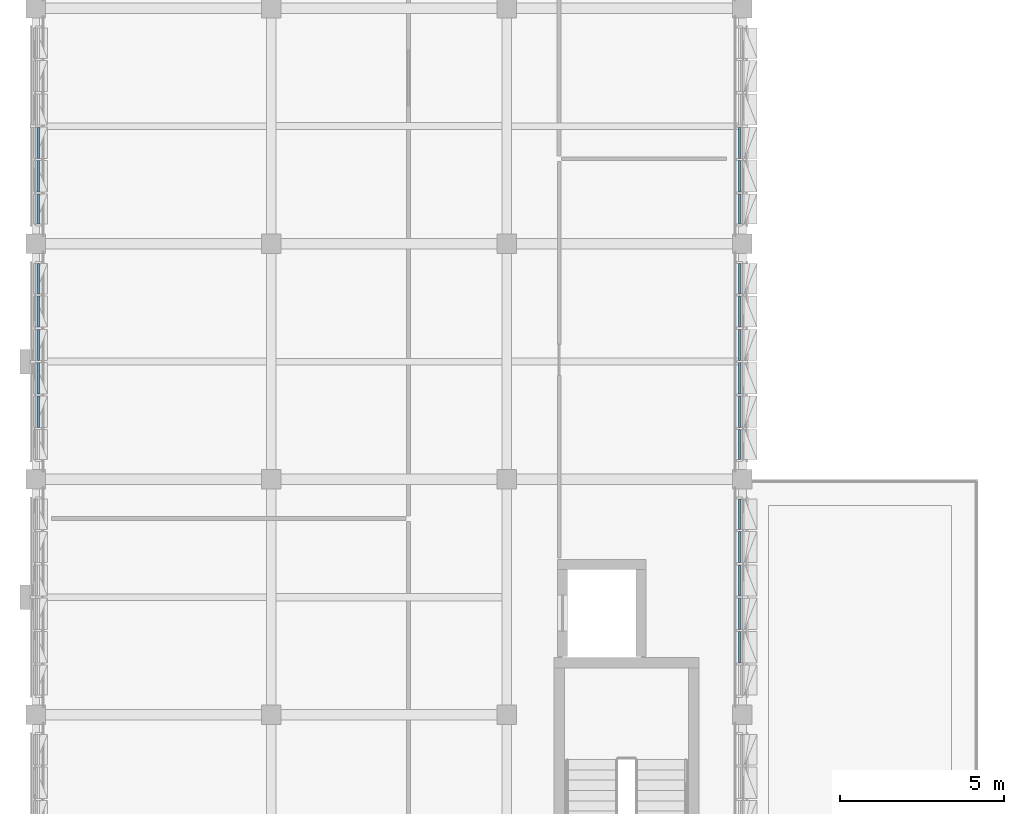
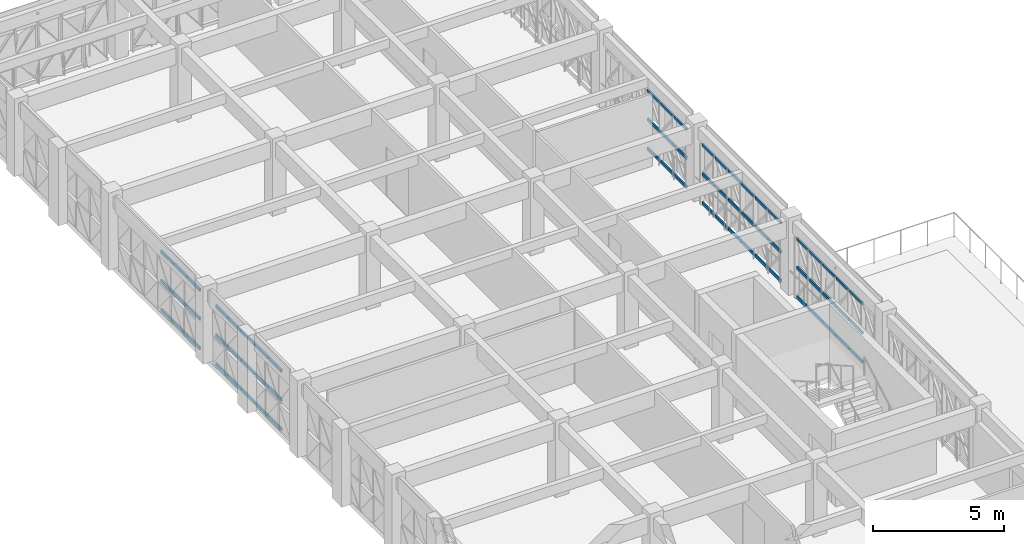
# One storey, part 29 of 99: 66 members, 5 elements without a shape of their own.
"""IFC4 building model written with IfcOpenShell, lengths in metres."""

from ifc_helpers import new_model, si_unit, direction, frame, origin, origin_2d, place, context, subcontext, project, spatial, rectangle, extrude, material, material_profile, profile_set, type_object, element, aggregate, save


model = new_model("IFC4")

# Units and contexts
model_context = context("Model", 3, precision=1e-05, world=origin(), true_north=direction((0.0, 1.0)))
body_context = subcontext(model_context, "Body", "Model", "MODEL_VIEW")
ifc_project = project(units=[si_unit("LENGTHUNIT", "METRE"), si_unit("AREAUNIT", "SQUARE_METRE"), si_unit("VOLUMEUNIT", "CUBIC_METRE"), si_unit("PLANEANGLEUNIT", "RADIAN"), si_unit("MASSUNIT", "GRAM", prefix="KILO")], contexts=[model_context])

# Site, building, storey
site_placement = place(None, origin())
site = spatial("IfcSite", under=ifc_project, at=site_placement, CompositionType="ELEMENT")
building_placement = place(site_placement, origin())
building = spatial("IfcBuilding", under=site, at=building_placement, Name="Alvorim Cloister Faculty of Sciences", CompositionType="ELEMENT")
storey_placement = place(building_placement, frame((0.0, 0.0, 12.14990234375)))
storey = spatial("IfcBuildingStorey", under=building, at=storey_placement, Name="L03", CompositionType="ELEMENT", Elevation=12.14990234375)

# Curtain wall, members
ifc_material_1 = material(Name="Aluminium and Low-E Glass Curtain Wall", Category="aluminium")
curtain_wall_type = type_object("IfcCurtainWallType", Name="CW-TRI-6120x2850", PredefinedType="USERDEFINED", material=ifc_material_1)
curtain_wall_1_placement = place(storey_placement, origin())
curtain_wall_1 = element("IfcCurtainWall", 1, at=curtain_wall_1_placement, inside=storey, type_object=curtain_wall_type, Name="L03 Diagonal Cassette Curtain Wall CW-0110", ObjectType="UNITISED CURTAIN WALL", PredefinedType="USERDEFINED")
ifc_material_2 = material(Name="Aluminium Alloy 6063-T6", Category="aluminium")
ifc_material_profile = material_profile(ifc_material_2, rectangle(XDim=0.06494140625, YDim=0.139892578125, at=origin_2d()), Name="ALU-TRN-65x140")
ifc_profile_set = profile_set([ifc_material_profile], Name="Aluminium Alloy 6063-T6")
member_type = type_object("IfcMemberType", Name="CW-TRN-65x140", PredefinedType="USERDEFINED", material=ifc_profile_set)
member_1_placement = place(storey_placement, frame((0.090087890625, 86.79248046875, 0.070068359375), z_axis=(0.0, 1.0, 0.0), x_axis=(-1.0, 0.0, 0.0)))
member_1 = element("IfcMember", 2, at=member_1_placement, type_object=member_type, Name="CW-0110 Transom 2.1", ObjectType="TRANSOM", PredefinedType="USERDEFINED", context=body_context, shape_type="SweptSolid", body=[
    extrude(rectangle(XDim=0.06494140625, YDim=0.139892578125, at=origin_2d()), origin(), (0.0, 0.0, 1.0), 0.955078125),
])
member_2_placement = place(storey_placement, frame((0.090087890625, 86.79248046875, 1.425048828125), z_axis=(0.0, 1.0, 0.0), x_axis=(-1.0, 0.0, 0.0)))
member_2 = element("IfcMember", 3, at=member_2_placement, type_object=member_type, Name="CW-0110 Transom 2.2", ObjectType="TRANSOM", PredefinedType="USERDEFINED", context=body_context, shape_type="SweptSolid", body=[
    extrude(rectangle(XDim=0.06494140625, YDim=0.139892578125, at=origin_2d()), origin(), (0.0, 0.0, 1.0), 0.955078125),
])
member_3_placement = place(storey_placement, frame((0.090087890625, 86.79248046875, 2.780029296875), z_axis=(0.0, 1.0, 0.0), x_axis=(-1.0, 0.0, 0.0)))
member_3 = element("IfcMember", 4, at=member_3_placement, type_object=member_type, Name="CW-0110 Transom 2.3", ObjectType="TRANSOM", PredefinedType="USERDEFINED", context=body_context, shape_type="SweptSolid", body=[
    extrude(rectangle(XDim=0.06494140625, YDim=0.139892578125, at=origin_2d()), origin(), (0.0, 0.0, 1.0), 0.955078125),
])
member_4_placement = place(storey_placement, frame((0.090087890625, 87.8125, 0.070068359375), z_axis=(0.0, 1.0, 0.0), x_axis=(-1.0, 0.0, 0.0)))
member_4 = element("IfcMember", 5, at=member_4_placement, type_object=member_type, Name="CW-0110 Transom 3.1", ObjectType="TRANSOM", PredefinedType="USERDEFINED", context=body_context, shape_type="SweptSolid", body=[
    extrude(rectangle(XDim=0.06494140625, YDim=0.139892578125, at=origin_2d()), origin(), (0.0, 0.0, 1.0), 0.955078125),
])
member_5_placement = place(storey_placement, frame((0.090087890625, 87.8125, 1.425048828125), z_axis=(0.0, 1.0, 0.0), x_axis=(-1.0, 0.0, 0.0)))
member_5 = element("IfcMember", 6, at=member_5_placement, type_object=member_type, Name="CW-0110 Transom 3.2", ObjectType="TRANSOM", PredefinedType="USERDEFINED", context=body_context, shape_type="SweptSolid", body=[
    extrude(rectangle(XDim=0.06494140625, YDim=0.139892578125, at=origin_2d()), origin(), (0.0, 0.0, 1.0), 0.955078125),
])
member_6_placement = place(storey_placement, frame((0.090087890625, 87.8125, 2.780029296875), z_axis=(0.0, 1.0, 0.0), x_axis=(-1.0, 0.0, 0.0)))
member_6 = element("IfcMember", 7, at=member_6_placement, type_object=member_type, Name="CW-0110 Transom 3.3", ObjectType="TRANSOM", PredefinedType="USERDEFINED", context=body_context, shape_type="SweptSolid", body=[
    extrude(rectangle(XDim=0.06494140625, YDim=0.139892578125, at=origin_2d()), origin(), (0.0, 0.0, 1.0), 0.955078125),
])
member_7_placement = place(storey_placement, frame((0.090087890625, 88.83251953125, 0.070068359375), z_axis=(0.0, 1.0, 0.0), x_axis=(-1.0, 0.0, 0.0)))
member_7 = element("IfcMember", 8, at=member_7_placement, type_object=member_type, Name="CW-0110 Transom 4.1", ObjectType="TRANSOM", PredefinedType="USERDEFINED", context=body_context, shape_type="SweptSolid", body=[
    extrude(rectangle(XDim=0.06494140625, YDim=0.139892578125, at=origin_2d()), origin(), (0.0, 0.0, 1.0), 0.955078125),
])
member_8_placement = place(storey_placement, frame((0.090087890625, 88.83251953125, 1.425048828125), z_axis=(0.0, 1.0, 0.0), x_axis=(-1.0, 0.0, 0.0)))
member_8 = element("IfcMember", 9, at=member_8_placement, type_object=member_type, Name="CW-0110 Transom 4.2", ObjectType="TRANSOM", PredefinedType="USERDEFINED", context=body_context, shape_type="SweptSolid", body=[
    extrude(rectangle(XDim=0.06494140625, YDim=0.139892578125, at=origin_2d()), origin(), (0.0, 0.0, 1.0), 0.955078125),
])
member_9_placement = place(storey_placement, frame((0.090087890625, 88.83251953125, 2.780029296875), z_axis=(0.0, 1.0, 0.0), x_axis=(-1.0, 0.0, 0.0)))
member_9 = element("IfcMember", 10, at=member_9_placement, type_object=member_type, Name="CW-0110 Transom 4.3", ObjectType="TRANSOM", PredefinedType="USERDEFINED", context=body_context, shape_type="SweptSolid", body=[
    extrude(rectangle(XDim=0.06494140625, YDim=0.139892578125, at=origin_2d()), origin(), (0.0, 0.0, 1.0), 0.955078125),
])
member_10_placement = place(storey_placement, frame((0.090087890625, 89.8525390625, 0.070068359375), z_axis=(0.0, 1.0, 0.0), x_axis=(-1.0, 0.0, 0.0)))
member_10 = element("IfcMember", 11, at=member_10_placement, type_object=member_type, Name="CW-0110 Transom 5.1", ObjectType="TRANSOM", PredefinedType="USERDEFINED", context=body_context, shape_type="SweptSolid", body=[
    extrude(rectangle(XDim=0.06494140625, YDim=0.139892578125, at=origin_2d()), origin(), (0.0, 0.0, 1.0), 0.955078125),
])
member_11_placement = place(storey_placement, frame((0.090087890625, 89.8525390625, 1.425048828125), z_axis=(0.0, 1.0, 0.0), x_axis=(-1.0, 0.0, 0.0)))
member_11 = element("IfcMember", 12, at=member_11_placement, type_object=member_type, Name="CW-0110 Transom 5.2", ObjectType="TRANSOM", PredefinedType="USERDEFINED", context=body_context, shape_type="SweptSolid", body=[
    extrude(rectangle(XDim=0.06494140625, YDim=0.139892578125, at=origin_2d()), origin(), (0.0, 0.0, 1.0), 0.955078125),
])
member_12_placement = place(storey_placement, frame((0.090087890625, 89.8525390625, 2.780029296875), z_axis=(0.0, 1.0, 0.0), x_axis=(-1.0, 0.0, 0.0)))
member_12 = element("IfcMember", 13, at=member_12_placement, type_object=member_type, Name="CW-0110 Transom 5.3", ObjectType="TRANSOM", PredefinedType="USERDEFINED", context=body_context, shape_type="SweptSolid", body=[
    extrude(rectangle(XDim=0.06494140625, YDim=0.139892578125, at=origin_2d()), origin(), (0.0, 0.0, 1.0), 0.955078125),
])
member_13_placement = place(storey_placement, frame((0.090087890625, 90.87255859375, 0.070068359375), z_axis=(0.0, 1.0, 0.0), x_axis=(-1.0, 0.0, 0.0)))
member_13 = element("IfcMember", 14, at=member_13_placement, type_object=member_type, Name="CW-0110 Transom 6.1", ObjectType="TRANSOM", PredefinedType="USERDEFINED", context=body_context, shape_type="SweptSolid", body=[
    extrude(rectangle(XDim=0.06494140625, YDim=0.139892578125, at=origin_2d()), origin(), (0.0, 0.0, 1.0), 0.92236328125),
])
member_14_placement = place(storey_placement, frame((0.090087890625, 90.87255859375, 1.425048828125), z_axis=(0.0, 1.0, 0.0), x_axis=(-1.0, 0.0, 0.0)))
member_14 = element("IfcMember", 15, at=member_14_placement, type_object=member_type, Name="CW-0110 Transom 6.2", ObjectType="TRANSOM", PredefinedType="USERDEFINED", context=body_context, shape_type="SweptSolid", body=[
    extrude(rectangle(XDim=0.06494140625, YDim=0.139892578125, at=origin_2d()), origin(), (0.0, 0.0, 1.0), 0.92236328125),
])
member_15_placement = place(storey_placement, frame((0.090087890625, 90.87255859375, 2.780029296875), z_axis=(0.0, 1.0, 0.0), x_axis=(-1.0, 0.0, 0.0)))
member_15 = element("IfcMember", 16, at=member_15_placement, type_object=member_type, Name="CW-0110 Transom 6.3", ObjectType="TRANSOM", PredefinedType="USERDEFINED", context=body_context, shape_type="SweptSolid", body=[
    extrude(rectangle(XDim=0.06494140625, YDim=0.139892578125, at=origin_2d()), origin(), (0.0, 0.0, 1.0), 0.92236328125),
])
aggregate(curtain_wall_1, [member_1, member_2, member_3, member_4, member_5, member_6, member_7, member_8, member_9, member_10, member_11, member_12, member_13, member_14, member_15])

curtain_wall_2_placement = place(storey_placement, origin())
curtain_wall_2 = element("IfcCurtainWall", 17, at=curtain_wall_2_placement, inside=storey, type_object=curtain_wall_type, Name="L03 Diagonal Cassette Curtain Wall CW-0111", ObjectType="UNITISED CURTAIN WALL", PredefinedType="USERDEFINED")
member_16_placement = place(storey_placement, frame((0.090087890625, 93.0048828125, 0.070068359375), z_axis=(0.0, 1.0, 0.0), x_axis=(-1.0, 0.0, 0.0)))
member_16 = element("IfcMember", 18, at=member_16_placement, type_object=member_type, Name="CW-0111 Transom 1.1", ObjectType="TRANSOM", PredefinedType="USERDEFINED", context=body_context, shape_type="SweptSolid", body=[
    extrude(rectangle(XDim=0.06494140625, YDim=0.139892578125, at=origin_2d()), origin(), (0.0, 0.0, 1.0), 0.922607421875),
])
member_17_placement = place(storey_placement, frame((0.090087890625, 93.0048828125, 1.425048828125), z_axis=(0.0, 1.0, 0.0), x_axis=(-1.0, 0.0, 0.0)))
member_17 = element("IfcMember", 19, at=member_17_placement, type_object=member_type, Name="CW-0111 Transom 1.2", ObjectType="TRANSOM", PredefinedType="USERDEFINED", context=body_context, shape_type="SweptSolid", body=[
    extrude(rectangle(XDim=0.06494140625, YDim=0.139892578125, at=origin_2d()), origin(), (0.0, 0.0, 1.0), 0.922607421875),
])
member_18_placement = place(storey_placement, frame((0.090087890625, 93.0048828125, 2.780029296875), z_axis=(0.0, 1.0, 0.0), x_axis=(-1.0, 0.0, 0.0)))
member_18 = element("IfcMember", 20, at=member_18_placement, type_object=member_type, Name="CW-0111 Transom 1.3", ObjectType="TRANSOM", PredefinedType="USERDEFINED", context=body_context, shape_type="SweptSolid", body=[
    extrude(rectangle(XDim=0.06494140625, YDim=0.139892578125, at=origin_2d()), origin(), (0.0, 0.0, 1.0), 0.922607421875),
])
member_19_placement = place(storey_placement, frame((0.090087890625, 93.992431640625, 0.070068359375), z_axis=(0.0, 1.0, 0.0), x_axis=(-1.0, 0.0, 0.0)))
member_19 = element("IfcMember", 21, at=member_19_placement, type_object=member_type, Name="CW-0111 Transom 2.1", ObjectType="TRANSOM", PredefinedType="USERDEFINED", context=body_context, shape_type="SweptSolid", body=[
    extrude(rectangle(XDim=0.06494140625, YDim=0.139892578125, at=origin_2d()), origin(), (0.0, 0.0, 1.0), 0.955078125),
])
member_20_placement = place(storey_placement, frame((0.090087890625, 93.992431640625, 1.425048828125), z_axis=(0.0, 1.0, 0.0), x_axis=(-1.0, 0.0, 0.0)))
member_20 = element("IfcMember", 22, at=member_20_placement, type_object=member_type, Name="CW-0111 Transom 2.2", ObjectType="TRANSOM", PredefinedType="USERDEFINED", context=body_context, shape_type="SweptSolid", body=[
    extrude(rectangle(XDim=0.06494140625, YDim=0.139892578125, at=origin_2d()), origin(), (0.0, 0.0, 1.0), 0.955078125),
])
member_21_placement = place(storey_placement, frame((0.090087890625, 93.992431640625, 2.780029296875), z_axis=(0.0, 1.0, 0.0), x_axis=(-1.0, 0.0, 0.0)))
member_21 = element("IfcMember", 23, at=member_21_placement, type_object=member_type, Name="CW-0111 Transom 2.3", ObjectType="TRANSOM", PredefinedType="USERDEFINED", context=body_context, shape_type="SweptSolid", body=[
    extrude(rectangle(XDim=0.06494140625, YDim=0.139892578125, at=origin_2d()), origin(), (0.0, 0.0, 1.0), 0.955078125),
])
member_22_placement = place(storey_placement, frame((0.090087890625, 95.012451171875, 0.070068359375), z_axis=(0.0, 1.0, 0.0), x_axis=(-1.0, 0.0, 0.0)))
member_22 = element("IfcMember", 24, at=member_22_placement, type_object=member_type, Name="CW-0111 Transom 3.1", ObjectType="TRANSOM", PredefinedType="USERDEFINED", context=body_context, shape_type="SweptSolid", body=[
    extrude(rectangle(XDim=0.06494140625, YDim=0.139892578125, at=origin_2d()), origin(), (0.0, 0.0, 1.0), 0.955078125),
])
member_23_placement = place(storey_placement, frame((0.090087890625, 95.012451171875, 1.425048828125), z_axis=(0.0, 1.0, 0.0), x_axis=(-1.0, 0.0, 0.0)))
member_23 = element("IfcMember", 25, at=member_23_placement, type_object=member_type, Name="CW-0111 Transom 3.2", ObjectType="TRANSOM", PredefinedType="USERDEFINED", context=body_context, shape_type="SweptSolid", body=[
    extrude(rectangle(XDim=0.06494140625, YDim=0.139892578125, at=origin_2d()), origin(), (0.0, 0.0, 1.0), 0.955078125),
])
member_24_placement = place(storey_placement, frame((0.090087890625, 95.012451171875, 2.780029296875), z_axis=(0.0, 1.0, 0.0), x_axis=(-1.0, 0.0, 0.0)))
member_24 = element("IfcMember", 26, at=member_24_placement, type_object=member_type, Name="CW-0111 Transom 3.3", ObjectType="TRANSOM", PredefinedType="USERDEFINED", context=body_context, shape_type="SweptSolid", body=[
    extrude(rectangle(XDim=0.06494140625, YDim=0.139892578125, at=origin_2d()), origin(), (0.0, 0.0, 1.0), 0.955078125),
])
aggregate(curtain_wall_2, [member_16, member_17, member_18, member_19, member_20, member_21, member_22, member_23, member_24])

curtain_wall_3_placement = place(storey_placement, origin())
curtain_wall_3 = element("IfcCurtainWall", 27, at=curtain_wall_3_placement, inside=storey, type_object=curtain_wall_type, Name="L03 Diagonal Cassette Curtain Wall CW-0119", ObjectType="UNITISED CURTAIN WALL", PredefinedType="USERDEFINED")
member_25_placement = place(storey_placement, frame((21.510009765625, 93.0048828125, 0.070068359375), z_axis=(0.0, 1.0, 0.0), x_axis=(-1.0, 0.0, 0.0)))
member_25 = element("IfcMember", 28, at=member_25_placement, type_object=member_type, Name="CW-0119 Transom 1.1", ObjectType="TRANSOM", PredefinedType="USERDEFINED", context=body_context, shape_type="SweptSolid", body=[
    extrude(rectangle(XDim=0.06494140625, YDim=0.139892578125, at=origin_2d()), origin(), (0.0, 0.0, 1.0), 0.922607421875),
])
member_26_placement = place(storey_placement, frame((21.510009765625, 93.0048828125, 1.425048828125), z_axis=(0.0, 1.0, 0.0), x_axis=(-1.0, 0.0, 0.0)))
member_26 = element("IfcMember", 29, at=member_26_placement, type_object=member_type, Name="CW-0119 Transom 1.2", ObjectType="TRANSOM", PredefinedType="USERDEFINED", context=body_context, shape_type="SweptSolid", body=[
    extrude(rectangle(XDim=0.06494140625, YDim=0.139892578125, at=origin_2d()), origin(), (0.0, 0.0, 1.0), 0.922607421875),
])
member_27_placement = place(storey_placement, frame((21.510009765625, 93.0048828125, 2.780029296875), z_axis=(0.0, 1.0, 0.0), x_axis=(-1.0, 0.0, 0.0)))
member_27 = element("IfcMember", 30, at=member_27_placement, type_object=member_type, Name="CW-0119 Transom 1.3", ObjectType="TRANSOM", PredefinedType="USERDEFINED", context=body_context, shape_type="SweptSolid", body=[
    extrude(rectangle(XDim=0.06494140625, YDim=0.139892578125, at=origin_2d()), origin(), (0.0, 0.0, 1.0), 0.922607421875),
])
member_28_placement = place(storey_placement, frame((21.510009765625, 93.992431640625, 0.070068359375), z_axis=(0.0, 1.0, 0.0), x_axis=(-1.0, 0.0, 0.0)))
member_28 = element("IfcMember", 31, at=member_28_placement, type_object=member_type, Name="CW-0119 Transom 2.1", ObjectType="TRANSOM", PredefinedType="USERDEFINED", context=body_context, shape_type="SweptSolid", body=[
    extrude(rectangle(XDim=0.06494140625, YDim=0.139892578125, at=origin_2d()), origin(), (0.0, 0.0, 1.0), 0.955078125),
])
member_29_placement = place(storey_placement, frame((21.510009765625, 93.992431640625, 1.425048828125), z_axis=(0.0, 1.0, 0.0), x_axis=(-1.0, 0.0, 0.0)))
member_29 = element("IfcMember", 32, at=member_29_placement, type_object=member_type, Name="CW-0119 Transom 2.2", ObjectType="TRANSOM", PredefinedType="USERDEFINED", context=body_context, shape_type="SweptSolid", body=[
    extrude(rectangle(XDim=0.06494140625, YDim=0.139892578125, at=origin_2d()), origin(), (0.0, 0.0, 1.0), 0.955078125),
])
member_30_placement = place(storey_placement, frame((21.510009765625, 93.992431640625, 2.780029296875), z_axis=(0.0, 1.0, 0.0), x_axis=(-1.0, 0.0, 0.0)))
member_30 = element("IfcMember", 33, at=member_30_placement, type_object=member_type, Name="CW-0119 Transom 2.3", ObjectType="TRANSOM", PredefinedType="USERDEFINED", context=body_context, shape_type="SweptSolid", body=[
    extrude(rectangle(XDim=0.06494140625, YDim=0.139892578125, at=origin_2d()), origin(), (0.0, 0.0, 1.0), 0.955078125),
])
member_31_placement = place(storey_placement, frame((21.510009765625, 95.012451171875, 0.070068359375), z_axis=(0.0, 1.0, 0.0), x_axis=(-1.0, 0.0, 0.0)))
member_31 = element("IfcMember", 34, at=member_31_placement, type_object=member_type, Name="CW-0119 Transom 3.1", ObjectType="TRANSOM", PredefinedType="USERDEFINED", context=body_context, shape_type="SweptSolid", body=[
    extrude(rectangle(XDim=0.06494140625, YDim=0.139892578125, at=origin_2d()), origin(), (0.0, 0.0, 1.0), 0.955078125),
])
member_32_placement = place(storey_placement, frame((21.510009765625, 95.012451171875, 1.425048828125), z_axis=(0.0, 1.0, 0.0), x_axis=(-1.0, 0.0, 0.0)))
member_32 = element("IfcMember", 35, at=member_32_placement, type_object=member_type, Name="CW-0119 Transom 3.2", ObjectType="TRANSOM", PredefinedType="USERDEFINED", context=body_context, shape_type="SweptSolid", body=[
    extrude(rectangle(XDim=0.06494140625, YDim=0.139892578125, at=origin_2d()), origin(), (0.0, 0.0, 1.0), 0.955078125),
])
member_33_placement = place(storey_placement, frame((21.510009765625, 95.012451171875, 2.780029296875), z_axis=(0.0, 1.0, 0.0), x_axis=(-1.0, 0.0, 0.0)))
member_33 = element("IfcMember", 36, at=member_33_placement, type_object=member_type, Name="CW-0119 Transom 3.3", ObjectType="TRANSOM", PredefinedType="USERDEFINED", context=body_context, shape_type="SweptSolid", body=[
    extrude(rectangle(XDim=0.06494140625, YDim=0.139892578125, at=origin_2d()), origin(), (0.0, 0.0, 1.0), 0.955078125),
])
aggregate(curtain_wall_3, [member_25, member_26, member_27, member_28, member_29, member_30, member_31, member_32, member_33])

curtain_wall_4_placement = place(storey_placement, origin())
curtain_wall_4 = element("IfcCurtainWall", 37, at=curtain_wall_4_placement, inside=storey, type_object=curtain_wall_type, Name="L03 Diagonal Cassette Curtain Wall CW-0120", ObjectType="UNITISED CURTAIN WALL", PredefinedType="USERDEFINED")
member_34_placement = place(storey_placement, frame((21.510009765625, 85.804931640625, 0.070068359375), z_axis=(0.0, 1.0, 0.0), x_axis=(-1.0, 0.0, 0.0)))
member_34 = element("IfcMember", 38, at=member_34_placement, type_object=member_type, Name="CW-0120 Transom 1.1", ObjectType="TRANSOM", PredefinedType="USERDEFINED", context=body_context, shape_type="SweptSolid", body=[
    extrude(rectangle(XDim=0.06494140625, YDim=0.139892578125, at=origin_2d()), origin(), (0.0, 0.0, 1.0), 0.922607421875),
])
member_35_placement = place(storey_placement, frame((21.510009765625, 85.804931640625, 1.425048828125), z_axis=(0.0, 1.0, 0.0), x_axis=(-1.0, 0.0, 0.0)))
member_35 = element("IfcMember", 39, at=member_35_placement, type_object=member_type, Name="CW-0120 Transom 1.2", ObjectType="TRANSOM", PredefinedType="USERDEFINED", context=body_context, shape_type="SweptSolid", body=[
    extrude(rectangle(XDim=0.06494140625, YDim=0.139892578125, at=origin_2d()), origin(), (0.0, 0.0, 1.0), 0.922607421875),
])
member_36_placement = place(storey_placement, frame((21.510009765625, 85.804931640625, 2.780029296875), z_axis=(0.0, 1.0, 0.0), x_axis=(-1.0, 0.0, 0.0)))
member_36 = element("IfcMember", 40, at=member_36_placement, type_object=member_type, Name="CW-0120 Transom 1.3", ObjectType="TRANSOM", PredefinedType="USERDEFINED", context=body_context, shape_type="SweptSolid", body=[
    extrude(rectangle(XDim=0.06494140625, YDim=0.139892578125, at=origin_2d()), origin(), (0.0, 0.0, 1.0), 0.922607421875),
])
member_37_placement = place(storey_placement, frame((21.510009765625, 86.79248046875, 0.070068359375), z_axis=(0.0, 1.0, 0.0), x_axis=(-1.0, 0.0, 0.0)))
member_37 = element("IfcMember", 41, at=member_37_placement, type_object=member_type, Name="CW-0120 Transom 2.1", ObjectType="TRANSOM", PredefinedType="USERDEFINED", context=body_context, shape_type="SweptSolid", body=[
    extrude(rectangle(XDim=0.06494140625, YDim=0.139892578125, at=origin_2d()), origin(), (0.0, 0.0, 1.0), 0.955078125),
])
member_38_placement = place(storey_placement, frame((21.510009765625, 86.79248046875, 1.425048828125), z_axis=(0.0, 1.0, 0.0), x_axis=(-1.0, 0.0, 0.0)))
member_38 = element("IfcMember", 42, at=member_38_placement, type_object=member_type, Name="CW-0120 Transom 2.2", ObjectType="TRANSOM", PredefinedType="USERDEFINED", context=body_context, shape_type="SweptSolid", body=[
    extrude(rectangle(XDim=0.06494140625, YDim=0.139892578125, at=origin_2d()), origin(), (0.0, 0.0, 1.0), 0.955078125),
])
member_39_placement = place(storey_placement, frame((21.510009765625, 86.79248046875, 2.780029296875), z_axis=(0.0, 1.0, 0.0), x_axis=(-1.0, 0.0, 0.0)))
member_39 = element("IfcMember", 43, at=member_39_placement, type_object=member_type, Name="CW-0120 Transom 2.3", ObjectType="TRANSOM", PredefinedType="USERDEFINED", context=body_context, shape_type="SweptSolid", body=[
    extrude(rectangle(XDim=0.06494140625, YDim=0.139892578125, at=origin_2d()), origin(), (0.0, 0.0, 1.0), 0.955078125),
])
member_40_placement = place(storey_placement, frame((21.510009765625, 87.8125, 0.070068359375), z_axis=(0.0, 1.0, 0.0), x_axis=(-1.0, 0.0, 0.0)))
member_40 = element("IfcMember", 44, at=member_40_placement, type_object=member_type, Name="CW-0120 Transom 3.1", ObjectType="TRANSOM", PredefinedType="USERDEFINED", context=body_context, shape_type="SweptSolid", body=[
    extrude(rectangle(XDim=0.06494140625, YDim=0.139892578125, at=origin_2d()), origin(), (0.0, 0.0, 1.0), 0.955078125),
])
member_41_placement = place(storey_placement, frame((21.510009765625, 87.8125, 1.425048828125), z_axis=(0.0, 1.0, 0.0), x_axis=(-1.0, 0.0, 0.0)))
member_41 = element("IfcMember", 45, at=member_41_placement, type_object=member_type, Name="CW-0120 Transom 3.2", ObjectType="TRANSOM", PredefinedType="USERDEFINED", context=body_context, shape_type="SweptSolid", body=[
    extrude(rectangle(XDim=0.06494140625, YDim=0.139892578125, at=origin_2d()), origin(), (0.0, 0.0, 1.0), 0.955078125),
])
member_42_placement = place(storey_placement, frame((21.510009765625, 87.8125, 2.780029296875), z_axis=(0.0, 1.0, 0.0), x_axis=(-1.0, 0.0, 0.0)))
member_42 = element("IfcMember", 46, at=member_42_placement, type_object=member_type, Name="CW-0120 Transom 3.3", ObjectType="TRANSOM", PredefinedType="USERDEFINED", context=body_context, shape_type="SweptSolid", body=[
    extrude(rectangle(XDim=0.06494140625, YDim=0.139892578125, at=origin_2d()), origin(), (0.0, 0.0, 1.0), 0.955078125),
])
member_43_placement = place(storey_placement, frame((21.510009765625, 88.83251953125, 0.070068359375), z_axis=(0.0, 1.0, 0.0), x_axis=(-1.0, 0.0, 0.0)))
member_43 = element("IfcMember", 47, at=member_43_placement, type_object=member_type, Name="CW-0120 Transom 4.1", ObjectType="TRANSOM", PredefinedType="USERDEFINED", context=body_context, shape_type="SweptSolid", body=[
    extrude(rectangle(XDim=0.06494140625, YDim=0.139892578125, at=origin_2d()), origin(), (0.0, 0.0, 1.0), 0.955078125),
])
member_44_placement = place(storey_placement, frame((21.510009765625, 88.83251953125, 1.425048828125), z_axis=(0.0, 1.0, 0.0), x_axis=(-1.0, 0.0, 0.0)))
member_44 = element("IfcMember", 48, at=member_44_placement, type_object=member_type, Name="CW-0120 Transom 4.2", ObjectType="TRANSOM", PredefinedType="USERDEFINED", context=body_context, shape_type="SweptSolid", body=[
    extrude(rectangle(XDim=0.06494140625, YDim=0.139892578125, at=origin_2d()), origin(), (0.0, 0.0, 1.0), 0.955078125),
])
member_45_placement = place(storey_placement, frame((21.510009765625, 88.83251953125, 2.780029296875), z_axis=(0.0, 1.0, 0.0), x_axis=(-1.0, 0.0, 0.0)))
member_45 = element("IfcMember", 49, at=member_45_placement, type_object=member_type, Name="CW-0120 Transom 4.3", ObjectType="TRANSOM", PredefinedType="USERDEFINED", context=body_context, shape_type="SweptSolid", body=[
    extrude(rectangle(XDim=0.06494140625, YDim=0.139892578125, at=origin_2d()), origin(), (0.0, 0.0, 1.0), 0.955078125),
])
member_46_placement = place(storey_placement, frame((21.510009765625, 89.8525390625, 0.070068359375), z_axis=(0.0, 1.0, 0.0), x_axis=(-1.0, 0.0, 0.0)))
member_46 = element("IfcMember", 50, at=member_46_placement, type_object=member_type, Name="CW-0120 Transom 5.1", ObjectType="TRANSOM", PredefinedType="USERDEFINED", context=body_context, shape_type="SweptSolid", body=[
    extrude(rectangle(XDim=0.06494140625, YDim=0.139892578125, at=origin_2d()), origin(), (0.0, 0.0, 1.0), 0.955078125),
])
member_47_placement = place(storey_placement, frame((21.510009765625, 89.8525390625, 1.425048828125), z_axis=(0.0, 1.0, 0.0), x_axis=(-1.0, 0.0, 0.0)))
member_47 = element("IfcMember", 51, at=member_47_placement, type_object=member_type, Name="CW-0120 Transom 5.2", ObjectType="TRANSOM", PredefinedType="USERDEFINED", context=body_context, shape_type="SweptSolid", body=[
    extrude(rectangle(XDim=0.06494140625, YDim=0.139892578125, at=origin_2d()), origin(), (0.0, 0.0, 1.0), 0.955078125),
])
member_48_placement = place(storey_placement, frame((21.510009765625, 89.8525390625, 2.780029296875), z_axis=(0.0, 1.0, 0.0), x_axis=(-1.0, 0.0, 0.0)))
member_48 = element("IfcMember", 52, at=member_48_placement, type_object=member_type, Name="CW-0120 Transom 5.3", ObjectType="TRANSOM", PredefinedType="USERDEFINED", context=body_context, shape_type="SweptSolid", body=[
    extrude(rectangle(XDim=0.06494140625, YDim=0.139892578125, at=origin_2d()), origin(), (0.0, 0.0, 1.0), 0.955078125),
])
member_49_placement = place(storey_placement, frame((21.510009765625, 90.87255859375, 0.070068359375), z_axis=(0.0, 1.0, 0.0), x_axis=(-1.0, 0.0, 0.0)))
member_49 = element("IfcMember", 53, at=member_49_placement, type_object=member_type, Name="CW-0120 Transom 6.1", ObjectType="TRANSOM", PredefinedType="USERDEFINED", context=body_context, shape_type="SweptSolid", body=[
    extrude(rectangle(XDim=0.06494140625, YDim=0.139892578125, at=origin_2d()), origin(), (0.0, 0.0, 1.0), 0.92236328125),
])
member_50_placement = place(storey_placement, frame((21.510009765625, 90.87255859375, 1.425048828125), z_axis=(0.0, 1.0, 0.0), x_axis=(-1.0, 0.0, 0.0)))
member_50 = element("IfcMember", 54, at=member_50_placement, type_object=member_type, Name="CW-0120 Transom 6.2", ObjectType="TRANSOM", PredefinedType="USERDEFINED", context=body_context, shape_type="SweptSolid", body=[
    extrude(rectangle(XDim=0.06494140625, YDim=0.139892578125, at=origin_2d()), origin(), (0.0, 0.0, 1.0), 0.92236328125),
])
member_51_placement = place(storey_placement, frame((21.510009765625, 90.87255859375, 2.780029296875), z_axis=(0.0, 1.0, 0.0), x_axis=(-1.0, 0.0, 0.0)))
member_51 = element("IfcMember", 55, at=member_51_placement, type_object=member_type, Name="CW-0120 Transom 6.3", ObjectType="TRANSOM", PredefinedType="USERDEFINED", context=body_context, shape_type="SweptSolid", body=[
    extrude(rectangle(XDim=0.06494140625, YDim=0.139892578125, at=origin_2d()), origin(), (0.0, 0.0, 1.0), 0.92236328125),
])
aggregate(curtain_wall_4, [member_34, member_35, member_36, member_37, member_38, member_39, member_40, member_41, member_42, member_43, member_44, member_45, member_46, member_47, member_48, member_49, member_50, member_51])

curtain_wall_5_placement = place(storey_placement, origin())
curtain_wall_5 = element("IfcCurtainWall", 56, at=curtain_wall_5_placement, inside=storey, type_object=curtain_wall_type, Name="L03 Diagonal Cassette Curtain Wall CW-0121", ObjectType="UNITISED CURTAIN WALL", PredefinedType="USERDEFINED")
member_52_placement = place(storey_placement, frame((21.510009765625, 79.592529296875, 0.070068359375), z_axis=(0.0, 1.0, 0.0), x_axis=(-1.0, 0.0, 0.0)))
member_52 = element("IfcMember", 57, at=member_52_placement, type_object=member_type, Name="CW-0121 Transom 2.1", ObjectType="TRANSOM", PredefinedType="USERDEFINED", context=body_context, shape_type="SweptSolid", body=[
    extrude(rectangle(XDim=0.06494140625, YDim=0.139892578125, at=origin_2d()), origin(), (0.0, 0.0, 1.0), 0.955078125),
])
member_53_placement = place(storey_placement, frame((21.510009765625, 79.592529296875, 1.425048828125), z_axis=(0.0, 1.0, 0.0), x_axis=(-1.0, 0.0, 0.0)))
member_53 = element("IfcMember", 58, at=member_53_placement, type_object=member_type, Name="CW-0121 Transom 2.2", ObjectType="TRANSOM", PredefinedType="USERDEFINED", context=body_context, shape_type="SweptSolid", body=[
    extrude(rectangle(XDim=0.06494140625, YDim=0.139892578125, at=origin_2d()), origin(), (0.0, 0.0, 1.0), 0.955078125),
])
member_54_placement = place(storey_placement, frame((21.510009765625, 79.592529296875, 2.780029296875), z_axis=(0.0, 1.0, 0.0), x_axis=(-1.0, 0.0, 0.0)))
member_54 = element("IfcMember", 59, at=member_54_placement, type_object=member_type, Name="CW-0121 Transom 2.3", ObjectType="TRANSOM", PredefinedType="USERDEFINED", context=body_context, shape_type="SweptSolid", body=[
    extrude(rectangle(XDim=0.06494140625, YDim=0.139892578125, at=origin_2d()), origin(), (0.0, 0.0, 1.0), 0.955078125),
])
member_55_placement = place(storey_placement, frame((21.510009765625, 80.612548828125, 0.070068359375), z_axis=(0.0, 1.0, 0.0), x_axis=(-1.0, 0.0, 0.0)))
member_55 = element("IfcMember", 60, at=member_55_placement, type_object=member_type, Name="CW-0121 Transom 3.1", ObjectType="TRANSOM", PredefinedType="USERDEFINED", context=body_context, shape_type="SweptSolid", body=[
    extrude(rectangle(XDim=0.06494140625, YDim=0.139892578125, at=origin_2d()), origin(), (0.0, 0.0, 1.0), 0.954833984375),
])
member_56_placement = place(storey_placement, frame((21.510009765625, 80.612548828125, 1.425048828125), z_axis=(0.0, 1.0, 0.0), x_axis=(-1.0, 0.0, 0.0)))
member_56 = element("IfcMember", 61, at=member_56_placement, type_object=member_type, Name="CW-0121 Transom 3.2", ObjectType="TRANSOM", PredefinedType="USERDEFINED", context=body_context, shape_type="SweptSolid", body=[
    extrude(rectangle(XDim=0.06494140625, YDim=0.139892578125, at=origin_2d()), origin(), (0.0, 0.0, 1.0), 0.954833984375),
])
member_57_placement = place(storey_placement, frame((21.510009765625, 80.612548828125, 2.780029296875), z_axis=(0.0, 1.0, 0.0), x_axis=(-1.0, 0.0, 0.0)))
member_57 = element("IfcMember", 62, at=member_57_placement, type_object=member_type, Name="CW-0121 Transom 3.3", ObjectType="TRANSOM", PredefinedType="USERDEFINED", context=body_context, shape_type="SweptSolid", body=[
    extrude(rectangle(XDim=0.06494140625, YDim=0.139892578125, at=origin_2d()), origin(), (0.0, 0.0, 1.0), 0.954833984375),
])
member_58_placement = place(storey_placement, frame((21.510009765625, 81.632568359375, 0.070068359375), z_axis=(0.0, 1.0, 0.0), x_axis=(-1.0, 0.0, 0.0)))
member_58 = element("IfcMember", 63, at=member_58_placement, type_object=member_type, Name="CW-0121 Transom 4.1", ObjectType="TRANSOM", PredefinedType="USERDEFINED", context=body_context, shape_type="SweptSolid", body=[
    extrude(rectangle(XDim=0.06494140625, YDim=0.139892578125, at=origin_2d()), origin(), (0.0, 0.0, 1.0), 0.954833984375),
])
member_59_placement = place(storey_placement, frame((21.510009765625, 81.632568359375, 1.425048828125), z_axis=(0.0, 1.0, 0.0), x_axis=(-1.0, 0.0, 0.0)))
member_59 = element("IfcMember", 64, at=member_59_placement, type_object=member_type, Name="CW-0121 Transom 4.2", ObjectType="TRANSOM", PredefinedType="USERDEFINED", context=body_context, shape_type="SweptSolid", body=[
    extrude(rectangle(XDim=0.06494140625, YDim=0.139892578125, at=origin_2d()), origin(), (0.0, 0.0, 1.0), 0.954833984375),
])
member_60_placement = place(storey_placement, frame((21.510009765625, 81.632568359375, 2.780029296875), z_axis=(0.0, 1.0, 0.0), x_axis=(-1.0, 0.0, 0.0)))
member_60 = element("IfcMember", 65, at=member_60_placement, type_object=member_type, Name="CW-0121 Transom 4.3", ObjectType="TRANSOM", PredefinedType="USERDEFINED", context=body_context, shape_type="SweptSolid", body=[
    extrude(rectangle(XDim=0.06494140625, YDim=0.139892578125, at=origin_2d()), origin(), (0.0, 0.0, 1.0), 0.954833984375),
])
member_61_placement = place(storey_placement, frame((21.510009765625, 82.652587890625, 0.070068359375), z_axis=(0.0, 1.0, 0.0), x_axis=(-1.0, 0.0, 0.0)))
member_61 = element("IfcMember", 66, at=member_61_placement, type_object=member_type, Name="CW-0121 Transom 5.1", ObjectType="TRANSOM", PredefinedType="USERDEFINED", context=body_context, shape_type="SweptSolid", body=[
    extrude(rectangle(XDim=0.06494140625, YDim=0.139892578125, at=origin_2d()), origin(), (0.0, 0.0, 1.0), 0.954833984375),
])
member_62_placement = place(storey_placement, frame((21.510009765625, 82.652587890625, 1.425048828125), z_axis=(0.0, 1.0, 0.0), x_axis=(-1.0, 0.0, 0.0)))
member_62 = element("IfcMember", 67, at=member_62_placement, type_object=member_type, Name="CW-0121 Transom 5.2", ObjectType="TRANSOM", PredefinedType="USERDEFINED", context=body_context, shape_type="SweptSolid", body=[
    extrude(rectangle(XDim=0.06494140625, YDim=0.139892578125, at=origin_2d()), origin(), (0.0, 0.0, 1.0), 0.954833984375),
])
member_63_placement = place(storey_placement, frame((21.510009765625, 82.652587890625, 2.780029296875), z_axis=(0.0, 1.0, 0.0), x_axis=(-1.0, 0.0, 0.0)))
member_63 = element("IfcMember", 68, at=member_63_placement, type_object=member_type, Name="CW-0121 Transom 5.3", ObjectType="TRANSOM", PredefinedType="USERDEFINED", context=body_context, shape_type="SweptSolid", body=[
    extrude(rectangle(XDim=0.06494140625, YDim=0.139892578125, at=origin_2d()), origin(), (0.0, 0.0, 1.0), 0.954833984375),
])
member_64_placement = place(storey_placement, frame((21.510009765625, 83.672607421875, 0.070068359375), z_axis=(0.0, 1.0, 0.0), x_axis=(-1.0, 0.0, 0.0)))
member_64 = element("IfcMember", 69, at=member_64_placement, type_object=member_type, Name="CW-0121 Transom 6.1", ObjectType="TRANSOM", PredefinedType="USERDEFINED", context=body_context, shape_type="SweptSolid", body=[
    extrude(rectangle(XDim=0.06494140625, YDim=0.139892578125, at=origin_2d()), origin(), (0.0, 0.0, 1.0), 0.92236328125),
])
member_65_placement = place(storey_placement, frame((21.510009765625, 83.672607421875, 1.425048828125), z_axis=(0.0, 1.0, 0.0), x_axis=(-1.0, 0.0, 0.0)))
member_65 = element("IfcMember", 70, at=member_65_placement, type_object=member_type, Name="CW-0121 Transom 6.2", ObjectType="TRANSOM", PredefinedType="USERDEFINED", context=body_context, shape_type="SweptSolid", body=[
    extrude(rectangle(XDim=0.06494140625, YDim=0.139892578125, at=origin_2d()), origin(), (0.0, 0.0, 1.0), 0.92236328125),
])
member_66_placement = place(storey_placement, frame((21.510009765625, 83.672607421875, 2.780029296875), z_axis=(0.0, 1.0, 0.0), x_axis=(-1.0, 0.0, 0.0)))
member_66 = element("IfcMember", 71, at=member_66_placement, type_object=member_type, Name="CW-0121 Transom 6.3", ObjectType="TRANSOM", PredefinedType="USERDEFINED", context=body_context, shape_type="SweptSolid", body=[
    extrude(rectangle(XDim=0.06494140625, YDim=0.139892578125, at=origin_2d()), origin(), (0.0, 0.0, 1.0), 0.92236328125),
])
aggregate(curtain_wall_5, [member_52, member_53, member_54, member_55, member_56, member_57, member_58, member_59, member_60, member_61, member_62, member_63, member_64, member_65, member_66])

save(model, "model.ifc")
